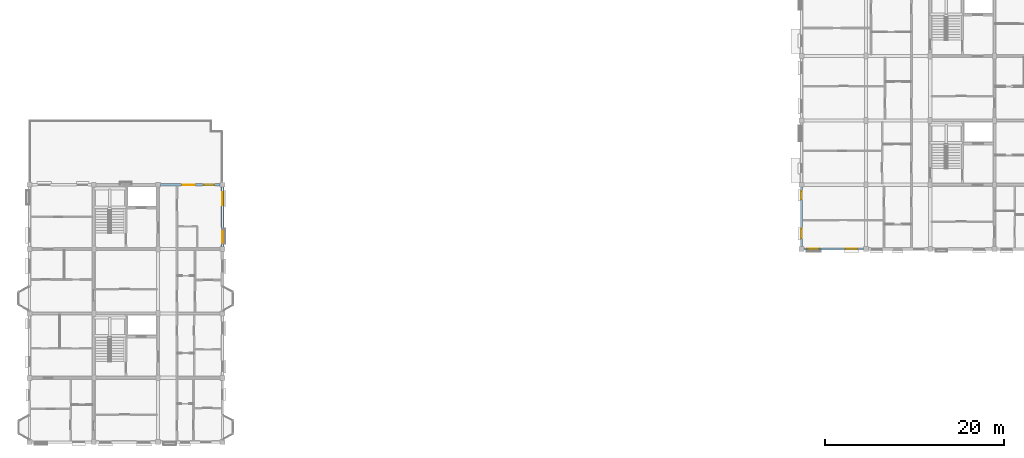
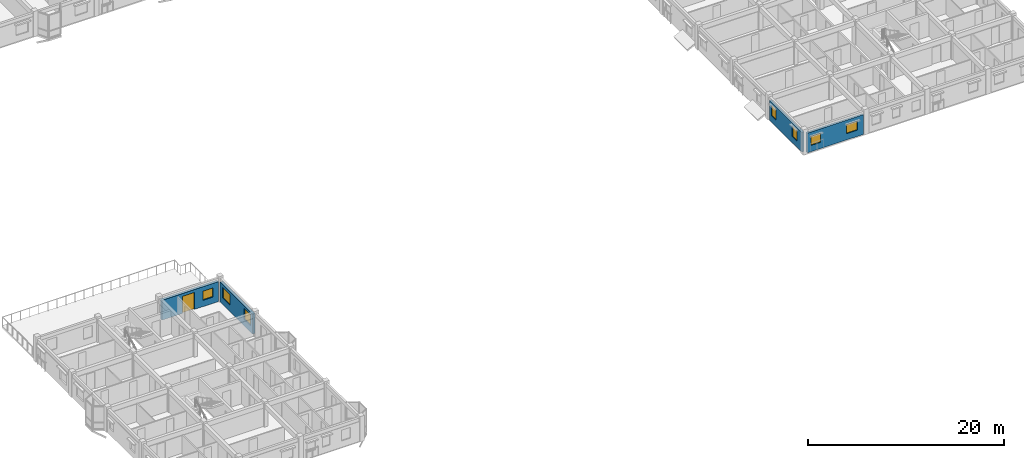
# One storey, part 53 of 75: 7 windows, 4 walls, 1 door, 8 openings.
"""IFC4 building model written with IfcOpenShell, lengths in metres."""

from ifc_helpers import new_model, si_unit, direction, frame, frame_2d, origin, place, context, subcontext, project, spatial, rectangle, extrude, material, layer, layer_set, type_object, element, fill, save


model = new_model("IFC4")

# Units and contexts
model_context = context("Model", 3, precision=1e-05, world=origin(), true_north=direction((0.0, 1.0)))
body_context = subcontext(model_context, "Body", "Model", "MODEL_VIEW")
ifc_project = project(units=[si_unit("LENGTHUNIT", "METRE"), si_unit("AREAUNIT", "SQUARE_METRE"), si_unit("VOLUMEUNIT", "CUBIC_METRE"), si_unit("PLANEANGLEUNIT", "RADIAN"), si_unit("MASSUNIT", "GRAM", prefix="KILO"), si_unit("THERMODYNAMICTEMPERATUREUNIT", "KELVIN"), si_unit("POWERUNIT", "WATT")], contexts=[model_context])

# Site, building, storey
site_placement = place(None, origin())
site = spatial("IfcSite", under=ifc_project, at=site_placement, CompositionType="ELEMENT")
building_placement = place(site_placement, origin())
building = spatial("IfcBuilding", under=site, at=building_placement, Name="Tavuni Mirador Residences", CompositionType="ELEMENT")
storey_placement = place(building_placement, frame((0.0, 0.0, 20.25)))
storey = spatial("IfcBuildingStorey", under=building, at=storey_placement, Name="L06", CompositionType="ELEMENT", Elevation=20.25)

# Wall, openings, windows
ifc_material_1 = material(Name="Sgraffito lime-rendered precast concrete C40/50", Category="concrete")
ifc_layer_1 = layer(ifc_material_1, 0.2451171875, Name="Sgraffito lime-rendered precast concrete C40/50", Category="concrete")
ifc_layer_set_1 = layer_set([ifc_layer_1], Name="Sgraffito lime-rendered precast concrete C40/50")
wall_type_1 = type_object("IfcWallType", Name="WT-EXT-PC245", PredefinedType="SOLIDWALL", material=ifc_layer_set_1)
wall_1_placement = place(storey_placement, frame((90.27490234375, 86.39990234375, 0.0), z_axis=(0.0, 0.0, 1.0), x_axis=(1.0, 0.0, 0.0)))
wall_1 = element("IfcWall", 1, at=wall_1_placement, inside=storey, type_object=wall_type_1, Name="EW-BLK-D-L06-S00", PredefinedType="SOLIDWALL", context=body_context, shape_type="SweptSolid", body=[
    extrude(rectangle(XDim=6.650146484375, YDim=0.2451171875, at=frame_2d((3.3251953125, 0.0))), origin(), (0.0, 0.0, 1.0), 2.4599609375),
])
opening_1_placement = place(wall_1_placement, frame((0.449951171875, 0.0, 0.780029296875)))
opening_1 = element("IfcOpeningElement", 2, at=opening_1_placement, cuts=wall_1, Name="Opening WN-05", PredefinedType="OPENING", context=body_context, shape_type="SweptSolid", body=[
    extrude(rectangle(XDim=1.159912109375, YDim=1.14990234375, at=frame_2d((0.580078125, 0.574951171875))), frame((0.0, 0.132568359375, 0.0), z_axis=(0.0, -1.0, 0.0), x_axis=(1.0, 0.0, 0.0)), (0.0, 0.0, 1.0), 0.26513671875),
])
opening_2_placement = place(wall_1_placement, frame((4.64990234375, 0.0, 0.780029296875)))
opening_2 = element("IfcOpeningElement", 3, at=opening_2_placement, cuts=wall_1, Name="Opening WN-07", PredefinedType="OPENING", context=body_context, shape_type="SweptSolid", body=[
    extrude(rectangle(XDim=1.320068359375, YDim=1.14990234375, at=frame_2d((0.66015625, 0.574951171875))), frame((0.0, 0.132568359375, 0.0), z_axis=(0.0, -1.0, 0.0), x_axis=(1.0, 0.0, 0.0)), (0.0, 0.0, 1.0), 0.26513671875),
])
ifc_material_2 = material(Name="Laminated solar-control glass", Category="glass")
window_type_1 = type_object("IfcWindowType", Name="WNT-05", PartitioningType="SINGLE_PANEL", PredefinedType="WINDOW", material=ifc_material_2)
window_1_placement = place(opening_1_placement, origin())
window_1 = element("IfcWindow", 4, at=window_1_placement, inside=storey, type_object=window_type_1, Name="WIN-1648", OverallHeight=1.14990234375, OverallWidth=1.159912109375, PartitioningType="SINGLE_PANEL", PredefinedType="WINDOW", context=body_context, shape_type="SweptSolid", body=[
    extrude(rectangle(XDim=1.159912109375, YDim=1.14990234375, at=frame_2d((0.580078125, 0.574951171875))), frame((0.0, 0.030029296875, 0.0), z_axis=(0.0, -1.0, 0.0), x_axis=(1.0, 0.0, 0.0)), (0.0, 0.0, 1.0), 0.06005859375),
])
fill(opening_1, window_1)
window_type_2 = type_object("IfcWindowType", Name="WNT-07", PartitioningType="SINGLE_PANEL", PredefinedType="WINDOW", material=ifc_material_2)
window_2_placement = place(opening_2_placement, origin())
window_2 = element("IfcWindow", 5, at=window_2_placement, inside=storey, type_object=window_type_2, Name="WIN-1649", OverallHeight=1.14990234375, OverallWidth=1.320068359375, PartitioningType="SINGLE_PANEL", PredefinedType="WINDOW", context=body_context, shape_type="SweptSolid", body=[
    extrude(rectangle(XDim=1.320068359375, YDim=1.14990234375, at=frame_2d((0.66015625, 0.574951171875))), frame((0.0, 0.030029296875, 0.0), z_axis=(0.0, -1.0, 0.0), x_axis=(1.0, 0.0, 0.0)), (0.0, 0.0, 1.0), 0.06005859375),
])
fill(opening_2, window_2)

wall_2_placement = place(storey_placement, frame((90.0, 93.324951171875, 0.0), z_axis=(0.0, 0.0, 1.0), x_axis=(0.0, -1.0, 0.0)))
wall_2 = element("IfcWall", 6, at=wall_2_placement, inside=storey, type_object=wall_type_1, Name="EW-BLK-D-L06-W00", PredefinedType="SOLIDWALL", context=body_context, shape_type="SweptSolid", body=[
    extrude(rectangle(XDim=6.64990234375, YDim=0.2451171875, at=frame_2d((3.324951171875, 0.0))), origin(), (0.0, 0.0, 1.0), 2.4599609375),
])
opening_3_placement = place(wall_2_placement, frame((0.449951171875, 0.0, 0.780029296875)))
opening_3 = element("IfcOpeningElement", 7, at=opening_3_placement, cuts=wall_2, Name="Opening WN-17", PredefinedType="OPENING", context=body_context, shape_type="SweptSolid", body=[
    extrude(rectangle(XDim=0.89990234375, YDim=1.360107421875, at=frame_2d((0.449951171875, 0.68017578125))), frame((0.0, 0.132568359375, 0.0), z_axis=(0.0, -1.0, 0.0), x_axis=(1.0, 0.0, 0.0)), (0.0, 0.0, 1.0), 0.26513671875),
])
opening_4_placement = place(wall_2_placement, frame((4.64990234375, 0.0, 0.780029296875)))
opening_4 = element("IfcOpeningElement", 8, at=opening_4_placement, cuts=wall_2, Name="Opening WN-19", PredefinedType="OPENING", context=body_context, shape_type="SweptSolid", body=[
    extrude(rectangle(XDim=1.06005859375, YDim=1.360107421875, at=frame_2d((0.530029296875, 0.68017578125))), frame((0.0, 0.132568359375, 0.0), z_axis=(0.0, -1.0, 0.0), x_axis=(1.0, 0.0, 0.0)), (0.0, 0.0, 1.0), 0.26513671875),
])
window_type_3 = type_object("IfcWindowType", Name="WNT-17", PartitioningType="SINGLE_PANEL", PredefinedType="WINDOW", material=ifc_material_2)
window_3_placement = place(opening_3_placement, origin())
window_3 = element("IfcWindow", 9, at=window_3_placement, inside=storey, type_object=window_type_3, Name="WIN-1690", OverallHeight=1.360107421875, OverallWidth=0.89990234375, PartitioningType="SINGLE_PANEL", PredefinedType="WINDOW", context=body_context, shape_type="SweptSolid", body=[
    extrude(rectangle(XDim=0.89990234375, YDim=1.360107421875, at=frame_2d((0.449951171875, 0.68017578125))), frame((0.0, 0.030029296875, 0.0), z_axis=(0.0, -1.0, 0.0), x_axis=(1.0, 0.0, 0.0)), (0.0, 0.0, 1.0), 0.06005859375),
])
fill(opening_3, window_3)
window_type_4 = type_object("IfcWindowType", Name="WNT-19", PartitioningType="SINGLE_PANEL", PredefinedType="WINDOW", material=ifc_material_2)
window_4_placement = place(opening_4_placement, origin())
window_4 = element("IfcWindow", 10, at=window_4_placement, inside=storey, type_object=window_type_4, Name="WIN-1691", OverallHeight=1.360107421875, OverallWidth=1.06005859375, PartitioningType="SINGLE_PANEL", PredefinedType="WINDOW", context=body_context, shape_type="SweptSolid", body=[
    extrude(rectangle(XDim=1.06005859375, YDim=1.360107421875, at=frame_2d((0.530029296875, 0.68017578125))), frame((0.0, 0.030029296875, 0.0), z_axis=(0.0, -1.0, 0.0), x_axis=(1.0, 0.0, 0.0)), (0.0, 0.0, 1.0), 0.06005859375),
])
fill(opening_4, window_4)

ifc_layer_2 = layer(ifc_material_1, 0.304931640625, Name="Sgraffito lime-rendered precast concrete C40/50", Category="concrete")
ifc_layer_set_2 = layer_set([ifc_layer_2], Name="Sgraffito lime-rendered precast concrete C40/50")
wall_type_2 = type_object("IfcWallType", Name="WT-EXT-PC305", PredefinedType="SOLIDWALL", material=ifc_layer_set_2)
wall_3_placement = place(storey_placement, frame((25.199951171875, 86.675048828125, 0.0), z_axis=(0.0, 0.0, 1.0), x_axis=(0.0, 1.0, 0.0)))
wall_3 = element("IfcWall", 11, at=wall_3_placement, inside=storey, type_object=wall_type_2, Name="EW-BLK-B-L06-E03", PredefinedType="SOLIDWALL", context=body_context, shape_type="SweptSolid", body=[
    extrude(rectangle(XDim=6.64990234375, YDim=0.304931640625, at=frame_2d((3.324951171875, 0.0))), origin(), (0.0, 0.0, 1.0), 2.47998046875),
])
opening_5_placement = place(wall_3_placement, frame((0.449951171875, 0.0, 0.780029296875)))
opening_5 = element("IfcOpeningElement", 12, at=opening_5_placement, cuts=wall_3, Name="Opening WN-22", PredefinedType="OPENING", context=body_context, shape_type="SweptSolid", body=[
    extrude(rectangle(XDim=1.300048828125, YDim=1.360107421875, at=frame_2d((0.64990234375, 0.68017578125))), frame((0.0, 0.16259765625, 0.0), z_axis=(0.0, -1.0, 0.0), x_axis=(1.0, 0.0, 0.0)), (0.0, 0.0, 1.0), 0.324951171875),
])
opening_6_placement = place(wall_3_placement, frame((4.64990234375, 0.0, 0.780029296875)))
opening_6 = element("IfcOpeningElement", 13, at=opening_6_placement, cuts=wall_3, Name="Opening WN-24", PredefinedType="OPENING", context=body_context, shape_type="SweptSolid", body=[
    extrude(rectangle(XDim=1.4599609375, YDim=1.360107421875, at=frame_2d((0.72998046875, 0.68017578125))), frame((0.0, 0.16259765625, 0.0), z_axis=(0.0, -1.0, 0.0), x_axis=(1.0, 0.0, 0.0)), (0.0, 0.0, 1.0), 0.324951171875),
])
window_type_5 = type_object("IfcWindowType", Name="WNT-22", PartitioningType="SINGLE_PANEL", PredefinedType="WINDOW", material=ifc_material_2)
window_5_placement = place(opening_5_placement, origin())
window_5 = element("IfcWindow", 14, at=window_5_placement, inside=storey, type_object=window_type_5, Name="WIN-0735", OverallHeight=1.360107421875, OverallWidth=1.300048828125, PartitioningType="SINGLE_PANEL", PredefinedType="WINDOW", context=body_context, shape_type="SweptSolid", body=[
    extrude(rectangle(XDim=1.300048828125, YDim=1.360107421875, at=frame_2d((0.64990234375, 0.68017578125))), frame((0.0, 0.030029296875, 0.0), z_axis=(0.0, -1.0, 0.0), x_axis=(1.0, 0.0, 0.0)), (0.0, 0.0, 1.0), 0.06005859375),
])
fill(opening_5, window_5)
window_type_6 = type_object("IfcWindowType", Name="WNT-24", PartitioningType="SINGLE_PANEL", PredefinedType="WINDOW", material=ifc_material_2)
window_6_placement = place(opening_6_placement, origin())
window_6 = element("IfcWindow", 15, at=window_6_placement, inside=storey, type_object=window_type_6, Name="WIN-0736", OverallHeight=1.360107421875, OverallWidth=1.4599609375, PartitioningType="SINGLE_PANEL", PredefinedType="WINDOW", context=body_context, shape_type="SweptSolid", body=[
    extrude(rectangle(XDim=1.4599609375, YDim=1.360107421875, at=frame_2d((0.72998046875, 0.68017578125))), frame((0.0, 0.030029296875, 0.0), z_axis=(0.0, -1.0, 0.0), x_axis=(1.0, 0.0, 0.0)), (0.0, 0.0, 1.0), 0.06005859375),
])
fill(opening_6, window_6)

# Wall, openings, door, window
ifc_layer_3 = layer(ifc_material_1, 0.31494140625, Name="Sgraffito lime-rendered precast concrete C40/50", Category="concrete")
ifc_layer_set_3 = layer_set([ifc_layer_3], Name="Sgraffito lime-rendered precast concrete C40/50")
wall_type_3 = type_object("IfcWallType", Name="WT-EXT-PC315", PredefinedType="SOLIDWALL", material=ifc_layer_set_3)
wall_4_placement = place(storey_placement, frame((24.925048828125, 93.60009765625, 0.0), z_axis=(0.0, 0.0, 1.0), x_axis=(-1.0, 0.0, 0.0)))
wall_4 = element("IfcWall", 16, at=wall_4_placement, inside=storey, type_object=wall_type_3, Name="EW-BLK-B-L06-N02", PredefinedType="SOLIDWALL", context=body_context, shape_type="SweptSolid", body=[
    extrude(rectangle(XDim=6.650146484375, YDim=0.31494140625, at=frame_2d((3.3251953125, 0.0))), origin(), (0.0, 0.0, 1.0), 2.47998046875),
])
opening_7_placement = place(wall_4_placement, frame((2.800048828125, 0.0, 0.0)))
opening_7 = element("IfcOpeningElement", 17, at=opening_7_placement, cuts=wall_4, Name="Opening TD-05", PredefinedType="OPENING", context=body_context, shape_type="SweptSolid", body=[
    extrude(rectangle(XDim=1.43994140625, YDim=2.1201171875, at=frame_2d((0.719970703125, 1.06005859375))), frame((0.0, 0.16748046875, 0.0), z_axis=(0.0, -1.0, 0.0), x_axis=(1.0, 0.0, 0.0)), (0.0, 0.0, 1.0), 0.3349609375),
])
opening_8_placement = place(wall_4_placement, frame((0.64990234375, 0.0, 0.780029296875)))
opening_8 = element("IfcOpeningElement", 18, at=opening_8_placement, cuts=wall_4, Name="Opening WN-05", PredefinedType="OPENING", context=body_context, shape_type="SweptSolid", body=[
    extrude(rectangle(XDim=1.159912109375, YDim=1.14990234375, at=frame_2d((0.580078125, 0.574951171875))), frame((0.0, 0.16748046875, 0.0), z_axis=(0.0, -1.0, 0.0), x_axis=(1.0, 0.0, 0.0)), (0.0, 0.0, 1.0), 0.3349609375),
])
ifc_material_3 = material(Name="Anodised aluminium", Category="aluminium")
door_type = type_object("IfcDoorType", Name="DT-TER1440", OperationType="NOTDEFINED", PredefinedType="DOOR", material=ifc_material_3)
door_placement = place(opening_7_placement, frame((1.43994140625, 0.0, 0.0), z_axis=(0.0, 0.0, 1.0), x_axis=(-1.0, 0.0, 0.0)))
door = element("IfcDoor", 19, at=door_placement, inside=storey, type_object=door_type, Name="DR-0009", OperationType="SINGLE_SWING_RIGHT", OverallHeight=2.1201171875, OverallWidth=1.43994140625, PredefinedType="DOOR", context=body_context, shape_type="SweptSolid", body=[
    extrude(rectangle(XDim=1.43994140625, YDim=2.1201171875, at=frame_2d((0.719970703125, 1.06005859375))), frame((0.0, 0.02490234375, 0.0), z_axis=(0.0, -1.0, 0.0), x_axis=(1.0, 0.0, 0.0)), (0.0, 0.0, 1.0), 0.050048828125),
])
fill(opening_7, door)
window_7_placement = place(opening_8_placement, origin())
window_7 = element("IfcWindow", 20, at=window_7_placement, inside=storey, type_object=window_type_1, Name="WIN-0737", OverallHeight=1.14990234375, OverallWidth=1.159912109375, PartitioningType="SINGLE_PANEL", PredefinedType="WINDOW", context=body_context, shape_type="SweptSolid", body=[
    extrude(rectangle(XDim=1.159912109375, YDim=1.14990234375, at=frame_2d((0.580078125, 0.574951171875))), frame((0.0, 0.030029296875, 0.0), z_axis=(0.0, -1.0, 0.0), x_axis=(1.0, 0.0, 0.0)), (0.0, 0.0, 1.0), 0.06005859375),
])
fill(opening_8, window_7)

save(model, "model.ifc")
